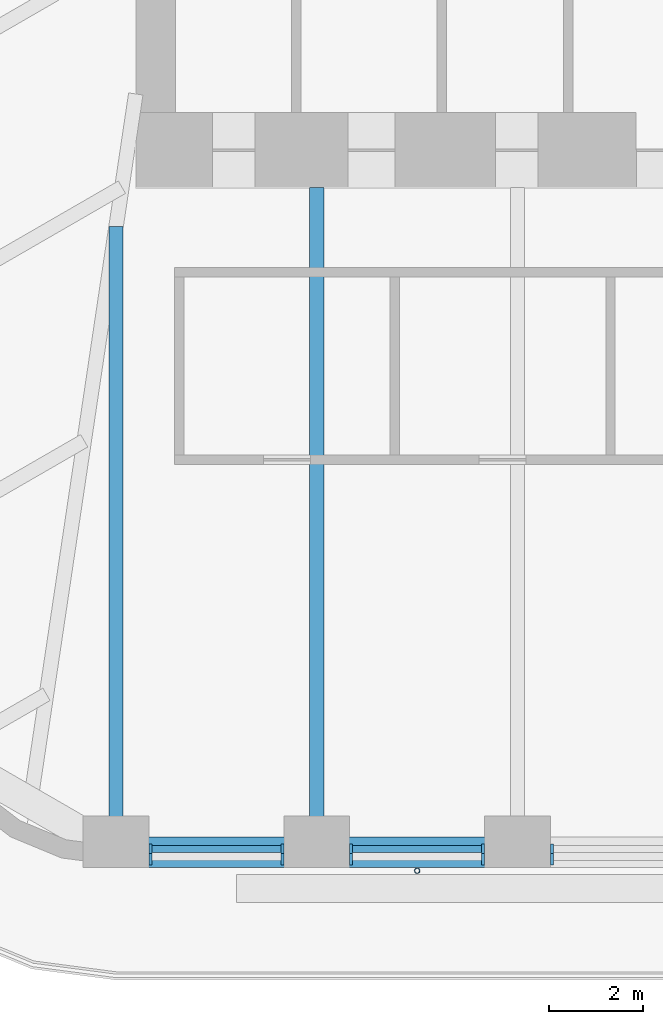
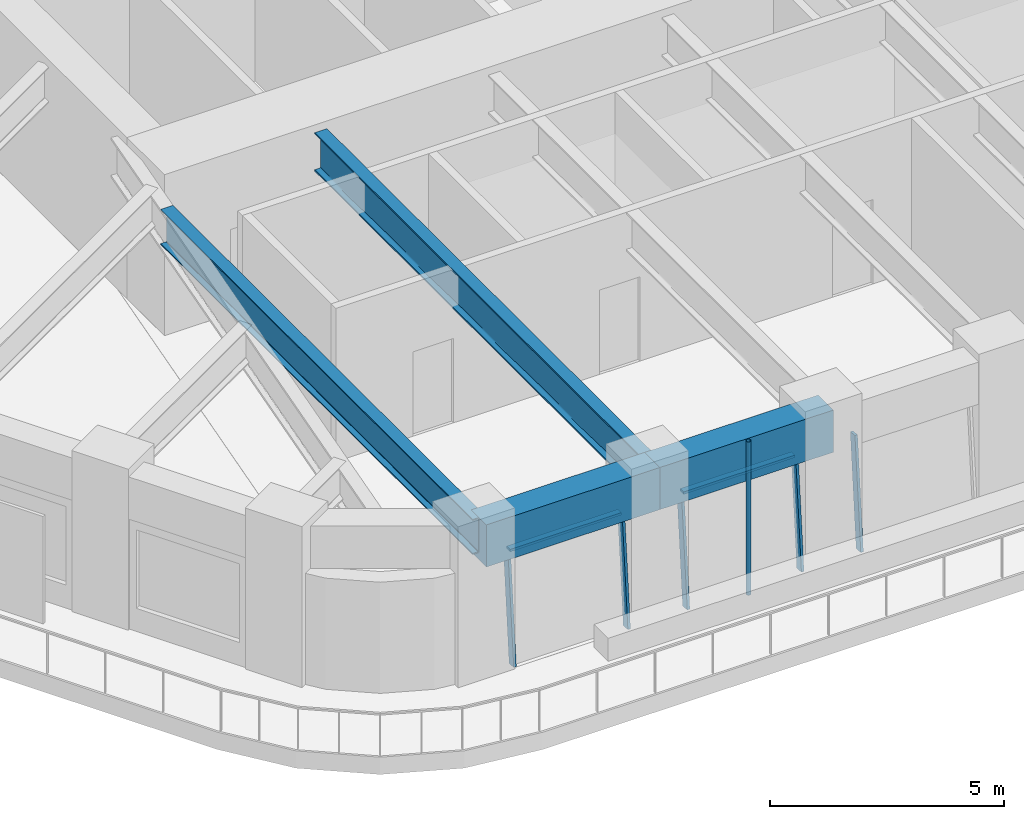
# One storey, part 2 of 19: 8 members, 4 beams, 3 elements without a shape of their own.
"""IFC4 building model written with IfcOpenShell, lengths in metres."""

import ifcopenshell
import ifcopenshell.guid

model = None  # the IFC model being written
_history = None  # IfcOwnerHistory: only IFC2X3 demands one
_inside = {}  # id of a spatial element -> (the spatial element, [elements in it])
_under = {}  # id of a project, library or spatial element -> (it, [spatial elements below it])
_declared = {}  # id of a project -> (the project, [libraries it declares])
_typed = {}  # id of a type object -> (the type object, [elements of that type])
_made_of = {}  # id of a material, layer set ... -> (it, [elements and type objects made of it])


def new_model(schema):
    """Start an empty IFC model of exactly this schema.

    Asked for "IFC4X3", IfcOpenShell would pick the latest addendum, in which some entities
    have other attributes; the version numbers below select the first issue.
    IFC2X3 requires an IfcOwnerHistory on every rooted entity: one is made here for all.
    """
    global model, _history
    if schema == "IFC4X3":
        model = ifcopenshell.file(schema_version=(4, 3, 0, 0))
    else:
        model = ifcopenshell.file(schema=schema)
    _inside.clear()
    _under.clear()
    _declared.clear()
    _typed.clear()
    _made_of.clear()
    _history = None
    if model.schema == "IFC2X3":
        org = make("IfcOrganization", Name="unknown")
        user = make(
            "IfcPersonAndOrganization",
            ThePerson=make("IfcPerson", FamilyName="unknown"),
            TheOrganization=org,
        )
        app = make(
            "IfcApplication",
            ApplicationDeveloper=org,
            Version="unknown",
            ApplicationFullName="unknown",
            ApplicationIdentifier="unknown",
        )
        _history = make(
            "IfcOwnerHistory",
            OwningUser=user,
            OwningApplication=app,
            ChangeAction="ADDED",
            CreationDate=0,
        )
    return model


def make(cls, **values):
    """One entity of the class cls with the attributes given. An attribute that is None is left unset."""
    return model.create_entity(
        cls, **{name: value for name, value in values.items() if value is not None}
    )


def rooted(cls, **values):
    """An entity with a GlobalId (a new one), such as an element, a storey or a relation."""
    return make(cls, GlobalId=ifcopenshell.guid.new(), OwnerHistory=_history, **values)


def si_unit(unit_type, name, prefix=None):
    """IfcSIUnit, for example si_unit("LENGTHUNIT", "METRE", prefix="MILLI")."""
    return make("IfcSIUnit", UnitType=unit_type, Prefix=prefix, Name=name)


def assignment(units):
    """IfcUnitAssignment: the units of a project."""
    return None if units is None else make("IfcUnitAssignment", Units=units)


def point(xyz):
    """IfcCartesianPoint."""
    return None if xyz is None else make("IfcCartesianPoint", Coordinates=xyz)


def direction(xyz):
    """IfcDirection."""
    return None if xyz is None else make("IfcDirection", DirectionRatios=xyz)


def frame(location, z_axis=None, x_axis=None):
    """IfcAxis2Placement3D, a coordinate frame: its origin and axes. An axis left out is left unset."""
    return make(
        "IfcAxis2Placement3D",
        Location=point(location),
        Axis=direction(z_axis),
        RefDirection=direction(x_axis),
    )


def frame_2d(location, x_axis=None):
    """IfcAxis2Placement2D, a coordinate frame in the plane: its origin and x axis."""
    return make(
        "IfcAxis2Placement2D", Location=point(location), RefDirection=direction(x_axis)
    )


def origin():
    """The frame at (0, 0, 0) with its axes left unset."""
    return frame((0.0, 0.0, 0.0))


def origin_2d():
    """The frame at (0, 0) in the plane with its x axis left unset."""
    return frame_2d((0.0, 0.0))


def place(relative_to, where):
    """IfcLocalPlacement: puts the frame where relative to a parent placement (None: the world)."""
    return make(
        "IfcLocalPlacement", PlacementRelTo=relative_to, RelativePlacement=where
    )


def context(
    kind, dimensions, precision=None, world=None, true_north=None, identifier=None
):
    """IfcGeometricRepresentationContext, for example the 3D "Model" context."""
    return make(
        "IfcGeometricRepresentationContext",
        ContextIdentifier=identifier,
        ContextType=kind,
        CoordinateSpaceDimension=dimensions,
        Precision=precision,
        WorldCoordinateSystem=world,
        TrueNorth=true_north,
    )


def subcontext(parent, identifier, kind, view, scale=None):
    """IfcGeometricRepresentationSubContext, for example "Body" below "Model"."""
    return make(
        "IfcGeometricRepresentationSubContext",
        ContextIdentifier=identifier,
        ContextType=kind,
        ParentContext=parent,
        TargetScale=scale,
        TargetView=view,
    )


def project(units=None, contexts=None):
    """IfcProject with its units and contexts."""
    return rooted(
        "IfcProject",
        Name="project",
        RepresentationContexts=contexts,
        UnitsInContext=assignment(units),
    )


def spatial(cls, under=None, at=None, **own):
    """A site, building, storey or space (cls), placed at a placement, below another one or the project."""
    s = rooted(cls, ObjectPlacement=at, **own)
    if under is not None:
        _under.setdefault(under.id(), (under, []))[1].append(s)
    return s


def profile(cls, at=None, kind="AREA", **sizes):
    """A parametric profile (cls). Its sizes go by their IFC names, for example OverallWidth=200.0."""
    return make(cls, ProfileType=kind, Position=at, **sizes)


def rectangle(**sizes):
    """IfcRectangleProfileDef."""
    return profile("IfcRectangleProfileDef", **sizes)


def hollow_circle(**sizes):
    """IfcCircleHollowProfileDef."""
    return profile("IfcCircleHollowProfileDef", **sizes)


def i_section(**sizes):
    """IfcIShapeProfileDef."""
    return profile("IfcIShapeProfileDef", **sizes)


def extrude(swept, where, along, depth):
    """IfcExtrudedAreaSolid: the profile swept, set in the frame where, extruded along a direction by depth."""
    return make(
        "IfcExtrudedAreaSolid",
        SweptArea=swept,
        Position=where,
        ExtrudedDirection=direction(along),
        Depth=depth,
    )


def shape(context_of_items, identifier, shape_type, items):
    """IfcShapeRepresentation: the items that make up one representation, for example the "Body"."""
    return make(
        "IfcShapeRepresentation",
        ContextOfItems=context_of_items,
        RepresentationIdentifier=identifier,
        RepresentationType=shape_type,
        Items=items,
    )


def material(Name=None, Category=None):
    """IfcMaterial."""
    return make("IfcMaterial", Name=Name, Category=Category)


def material_profile(
    of_material, cross_section, Name=None, Category=None, Priority=None
):
    """IfcMaterialProfile: a cross section and its material."""
    return make(
        "IfcMaterialProfile",
        Name=Name,
        Material=of_material,
        Profile=cross_section,
        Priority=Priority,
        Category=Category,
    )


def profile_set(profiles, Name=None, composite=None):
    """IfcMaterialProfileSet."""
    return make(
        "IfcMaterialProfileSet",
        Name=Name,
        MaterialProfiles=profiles,
        CompositeProfile=composite,
    )


def made_of(thing, what):
    """Note that an element or type object is made of a material, layer set ...; save() writes the relation."""
    if what is not None:
        _made_of.setdefault(what.id(), (what, []))[1].append(thing)
    return thing


def type_object(cls, material=None, **own):
    """A type object (cls), such as IfcWallType, which elements share."""
    return made_of(rooted(cls, **own), material)


def element(
    cls,
    number,
    at=None,
    inside=None,
    cuts=None,
    type_object=None,
    material=None,
    context=None,
    identifier="Body",
    shape_type=None,
    held_by="IfcProductDefinitionShape",
    body=None,
    shapes=None,
    **own,
):
    """One element of the class cls, such as IfcWall. Its Tag is "e" and its number.

    at: its placement. inside: the storey or other place that contains it. cuts: it is an
    opening in that element (IfcRelVoidsElement). A single representation is given by context,
    identifier, shape_type and body (its items); several are given by shapes. held_by: the class
    of the entity that holds the representations. save() writes the other relations.
    """
    e = rooted(cls, Tag="e%d" % number, ObjectPlacement=at, **own)
    if body is not None:
        shapes = [shape(context, identifier, shape_type, body)]
    if shapes is not None:
        e.Representation = make(held_by, Representations=shapes)
    if inside is not None:
        _inside.setdefault(inside.id(), (inside, []))[1].append(e)
    if cuts is not None:
        rooted(
            "IfcRelVoidsElement", RelatingBuildingElement=cuts, RelatedOpeningElement=e
        )
    if type_object is not None:
        _typed.setdefault(type_object.id(), (type_object, []))[1].append(e)
    return made_of(e, material)


def aggregate(whole, parts):
    """IfcRelAggregates: a whole, such as a stair, and the parts it consists of."""
    return rooted("IfcRelAggregates", RelatingObject=whole, RelatedObjects=parts)


def save(model, path):
    """Write the relations noted so far, then the file.

    IfcRelAggregates (storeys below a building ...), IfcRelContainedInSpatialStructure (elements
    in a storey), IfcRelDefinesByType, IfcRelAssociatesMaterial and IfcRelDeclares: one each for
    every whole, place, type object, material and project.
    """
    for whole, parts in _under.values():
        aggregate(whole, parts)
    for where, things in _inside.values():
        rooted(
            "IfcRelContainedInSpatialStructure",
            RelatedElements=things,
            RelatingStructure=where,
        )
    for kind, things in _typed.values():
        rooted("IfcRelDefinesByType", RelatedObjects=things, RelatingType=kind)
    for what, things in _made_of.values():
        rooted("IfcRelAssociatesMaterial", RelatedObjects=things, RelatingMaterial=what)
    for by, libraries in _declared.values():
        rooted("IfcRelDeclares", RelatingContext=by, RelatedDefinitions=libraries)
    model.write(path)


model = new_model("IFC4")

# Units and contexts
model_context = context("Model", 3, precision=1e-05, world=origin(), true_north=direction((0.0, 1.0)))
body_context = subcontext(model_context, "Body", "Model", "MODEL_VIEW")
ifc_project = project(units=[si_unit("LENGTHUNIT", "METRE"), si_unit("AREAUNIT", "SQUARE_METRE"), si_unit("VOLUMEUNIT", "CUBIC_METRE"), si_unit("PLANEANGLEUNIT", "RADIAN"), si_unit("MASSUNIT", "GRAM", prefix="KILO")], contexts=[model_context])

# Site, building, storey
site_placement = place(None, origin())
site = spatial("IfcSite", under=ifc_project, at=site_placement, CompositionType="ELEMENT")
building_placement = place(site_placement, origin())
building = spatial("IfcBuilding", under=site, at=building_placement, Name="Tarfa Lantern Tower", CompositionType="ELEMENT")
storey_placement = place(building_placement, frame((0.0, 0.0, 328.300048828125)))
storey = spatial("IfcBuildingStorey", under=building, at=storey_placement, Name="L74", CompositionType="ELEMENT", Elevation=328.300048828125)

# Curtain wall, members
ifc_material_1 = material(Name="Aluminium framed curtain wall", Category="aluminium")
curtain_wall_type = type_object("IfcCurtainWallType", Name="CW4 CANTED GLAZING EXECUTIVE ZONE 2900", PredefinedType="USERDEFINED", material=ifc_material_1)
curtain_wall_1_placement = place(storey_placement, origin())
curtain_wall_1 = element("IfcCurtainWall", 1, at=curtain_wall_1_placement, inside=storey, type_object=curtain_wall_type, Name="CW4 S L74", ObjectType="CURTAIN WALL", PredefinedType="USERDEFINED")
ifc_material_2 = material(Name="Aluminium mullion", Category="aluminium")
ifc_material_profile_1 = material_profile(ifc_material_2, rectangle(XDim=0.06494140625, YDim=0.199951171875, at=origin_2d()), Name="AL MULLION 65x200")
ifc_profile_set_1 = profile_set([ifc_material_profile_1], Name="Aluminium mullion")
member_type_1 = type_object("IfcMemberType", Name="CWM1 MULLION 65x200", PredefinedType="MULLION", material=ifc_profile_set_1)
member_1_placement = place(storey_placement, frame((-12.113525390625, -26.64990234375, 0.0), z_axis=(0.0, 0.085891213166, 0.99630452147), x_axis=(-1.0, 0.0, 0.0)))
member_1 = element("IfcMember", 2, at=member_1_placement, type_object=member_type_1, Name="CW4 mullion 1", PredefinedType="MULLION", context=body_context, shape_type="SweptSolid", body=[
    extrude(rectangle(XDim=0.06494140625, YDim=0.199951171875, at=origin_2d()), origin(), (0.0, 0.0, 1.0), 2.91064453125),
])
member_2_placement = place(storey_placement, frame((-9.296630859375, -26.64990234375, 0.0), z_axis=(0.0, 0.085891213166, 0.99630452147), x_axis=(-1.0, 0.0, 0.0)))
member_2 = element("IfcMember", 3, at=member_2_placement, type_object=member_type_1, Name="CW4 mullion 2", PredefinedType="MULLION", context=body_context, shape_type="SweptSolid", body=[
    extrude(rectangle(XDim=0.06494140625, YDim=0.199951171875, at=origin_2d()), origin(), (0.0, 0.0, 1.0), 2.91064453125),
])

curtain_wall_2_placement = place(storey_placement, origin())
curtain_wall_2 = element("IfcCurtainWall", 4, at=curtain_wall_2_placement, inside=storey, type_object=curtain_wall_type, Name="CW4 S L74", ObjectType="CURTAIN WALL", PredefinedType="USERDEFINED")
member_3_placement = place(storey_placement, frame((-7.83154296875, -26.64990234375, 0.0), z_axis=(0.0, 0.085891213166, 0.99630452147), x_axis=(-1.0, 0.0, 0.0)))
member_3 = element("IfcMember", 5, at=member_3_placement, type_object=member_type_1, Name="CW4 mullion 1", PredefinedType="MULLION", context=body_context, shape_type="SweptSolid", body=[
    extrude(rectangle(XDim=0.06494140625, YDim=0.199951171875, at=origin_2d()), origin(), (0.0, 0.0, 1.0), 2.91064453125),
])
member_4_placement = place(storey_placement, frame((-5.014404296875, -26.64990234375, 0.0), z_axis=(0.0, 0.085891213166, 0.99630452147), x_axis=(-1.0, 0.0, 0.0)))
member_4 = element("IfcMember", 6, at=member_4_placement, type_object=member_type_1, Name="CW4 mullion 2", PredefinedType="MULLION", context=body_context, shape_type="SweptSolid", body=[
    extrude(rectangle(XDim=0.06494140625, YDim=0.199951171875, at=origin_2d()), origin(), (0.0, 0.0, 1.0), 2.91064453125),
])

# Curtain wall, member
curtain_wall_3_placement = place(storey_placement, origin())
curtain_wall_3 = element("IfcCurtainWall", 7, at=curtain_wall_3_placement, inside=storey, type_object=curtain_wall_type, Name="CW4 S L74", ObjectType="CURTAIN WALL", PredefinedType="USERDEFINED")
member_5_placement = place(storey_placement, frame((-3.549560546875, -26.64990234375, 0.0), z_axis=(0.0, 0.085891213166, 0.99630452147), x_axis=(-1.0, 0.0, 0.0)))
member_5 = element("IfcMember", 8, at=member_5_placement, type_object=member_type_1, Name="CW4 mullion 1", PredefinedType="MULLION", context=body_context, shape_type="SweptSolid", body=[
    extrude(rectangle(XDim=0.06494140625, YDim=0.199951171875, at=origin_2d()), origin(), (0.0, 0.0, 1.0), 2.91064453125),
])
aggregate(curtain_wall_3, [member_5])

# Member
ifc_material_3 = material(Name="Aluminium transom", Category="aluminium")
ifc_material_profile_2 = material_profile(ifc_material_3, rectangle(XDim=0.14990234375, YDim=0.06494140625, at=origin_2d()), Name="AL TRANSOM 150x65")
ifc_profile_set_2 = profile_set([ifc_material_profile_2], Name="Aluminium transom")
member_type_2 = type_object("IfcMemberType", Name="CWT1 TRANSOM 150x65", PredefinedType="USERDEFINED", material=ifc_profile_set_2)
member_6_placement = place(storey_placement, frame((-12.0810546875, -26.40283203125, 2.867431640625), z_axis=(1.0, 0.0, 0.0), x_axis=(0.0, 1.0, 0.0)))
member_6 = element("IfcMember", 9, at=member_6_placement, type_object=member_type_2, Name="CW4 transom 1.2", ObjectType="TRANSOM", PredefinedType="USERDEFINED", context=body_context, shape_type="SweptSolid", body=[
    extrude(rectangle(XDim=0.14990234375, YDim=0.06494140625, at=origin_2d()), origin(), (0.0, 0.0, 1.0), 2.751953125),
])

aggregate(curtain_wall_1, [member_1, member_2, member_6])

member_7_placement = place(storey_placement, frame((-7.799072265625, -26.40283203125, 2.867431640625), z_axis=(1.0, 0.0, 0.0), x_axis=(0.0, 1.0, 0.0)))
member_7 = element("IfcMember", 10, at=member_7_placement, type_object=member_type_2, Name="CW4 transom 1.2", ObjectType="TRANSOM", PredefinedType="USERDEFINED", context=body_context, shape_type="SweptSolid", body=[
    extrude(rectangle(XDim=0.14990234375, YDim=0.06494140625, at=origin_2d()), origin(), (0.0, 0.0, 1.0), 2.751953125),
])

aggregate(curtain_wall_2, [member_3, member_4, member_7])

# Beams
ifc_material_4 = material(Name="Concrete C80/95", Category="concrete")
ifc_material_profile_3 = material_profile(ifc_material_4, rectangle(XDim=0.64990234375, YDim=1.10009765625, at=origin_2d()), Name="RC 650x1100")
ifc_profile_set_3 = profile_set([ifc_material_profile_3], Name="Concrete C80/95")
beam_type_1 = type_object("IfcBeamType", Name="EB4 RC 650x1100", PredefinedType="SPANDREL", material=ifc_profile_set_3)
for number, where, z_axis, x_axis, name in (
    (11, (-12.845947265625, -26.469970703125, 3.449951171875), (1.0, 0.0, 0.0), (0.0, 1.0, 0.0), "Edge beam S0"),
    (12, (-8.56396484375, -26.469970703125, 3.449951171875), (1.0, 0.0, 0.0), (0.0, 1.0, 0.0), "Edge beam S1"),
):
    element("IfcBeam", number, at=place(storey_placement, frame(where, z_axis=z_axis, x_axis=x_axis)), inside=storey, type_object=beam_type_1, Name=name, PredefinedType="SPANDREL", context=body_context, shape_type="SweptSolid", body=[
        extrude(rectangle(XDim=0.64990234375, YDim=1.10009765625, at=origin_2d()), origin(), (0.0, 0.0, 1.0), 4.281982421875),
    ])

# Member
ifc_material_5 = material(Name="Steel S355", Category="steel")
ifc_material_profile_4 = material_profile(ifc_material_5, hollow_circle(Radius=0.05712890625, WallThickness=0.00634765625, at=origin_2d()), Name="CHS114.3x6.3")
ifc_profile_set_4 = profile_set([ifc_material_profile_4], Name="Steel S355")
member_type_3 = type_object("IfcMemberType", Name="TR1 GREEN WALL TRELLIS CHS114.3x6.3", PredefinedType="USERDEFINED", material=ifc_profile_set_4)
member_8_placement = place(storey_placement, frame((-6.423095703125, -26.8701171875, 0.0), z_axis=(0.0, 0.0, 1.0), x_axis=(1.0, 0.0, 0.0)))
element("IfcMember", 13, at=member_8_placement, inside=storey, type_object=member_type_3, Name="Trellis post S 1", ObjectType="TRELLIS", PredefinedType="USERDEFINED", context=body_context, shape_type="SweptSolid", body=[
    extrude(hollow_circle(Radius=0.05712890625, WallThickness=0.00634765625, at=origin_2d()), origin(), (0.0, 0.0, 1.0), 4.0),
])

# Beams
ifc_material_6 = material(Name="Steel S460M", Category="steel")
ifc_material_profile_5 = material_profile(ifc_material_6, i_section(OverallWidth=0.302001953125, OverallDepth=1.008056640625, WebThickness=0.02099609375, FlangeThickness=0.0400390625, FilletRadius=0.030029296875, at=origin_2d()), Name="UB1016x305x349")
ifc_profile_set_5 = profile_set([ifc_material_profile_5], Name="Steel S460M")
beam_type_2 = type_object("IfcBeamType", Name="UB1016x305x349", PredefinedType="BEAM", material=ifc_profile_set_5)
beam_1_placement = place(storey_placement, frame((-8.56396484375, -26.469970703125, 3.495849609375), z_axis=(0.0, 1.0, 0.0), x_axis=(-1.0, 0.0, 0.0)))
element("IfcBeam", 14, at=beam_1_placement, inside=storey, type_object=beam_type_2, Name="Floor beam S1", PredefinedType="BEAM", context=body_context, shape_type="SweptSolid", body=[
    extrude(i_section(OverallWidth=0.302001953125, OverallDepth=1.008056640625, WebThickness=0.02099609375, FlangeThickness=0.0400390625, FilletRadius=0.030029296875, at=origin_2d()), origin(), (0.0, 0.0, 1.0), 14.169921875),
])
ifc_material_profile_6 = material_profile(ifc_material_6, i_section(OverallWidth=0.305419921875, OverallDepth=0.91845703125, WebThickness=0.017333984375, FlangeThickness=0.02783203125, FilletRadius=0.01904296875, at=origin_2d()), Name="UB914x305x253")
ifc_profile_set_6 = profile_set([ifc_material_profile_6], Name="Steel S460M")
beam_type_3 = type_object("IfcBeamType", Name="UB914x305x253", PredefinedType="BEAM", material=ifc_profile_set_6)
beam_2_placement = place(storey_placement, frame((-12.845947265625, -26.469970703125, 3.540771484375), z_axis=(0.0, 1.0, 0.0), x_axis=(-1.0, 0.0, 0.0)))
element("IfcBeam", 15, at=beam_2_placement, inside=storey, type_object=beam_type_3, Name="Floor beam S0", PredefinedType="BEAM", context=body_context, shape_type="SweptSolid", body=[
    extrude(i_section(OverallWidth=0.305419921875, OverallDepth=0.91845703125, WebThickness=0.017333984375, FlangeThickness=0.02783203125, FilletRadius=0.01904296875, at=origin_2d()), origin(), (0.0, 0.0, 1.0), 13.33935546875),
])

save(model, "model.ifc")
